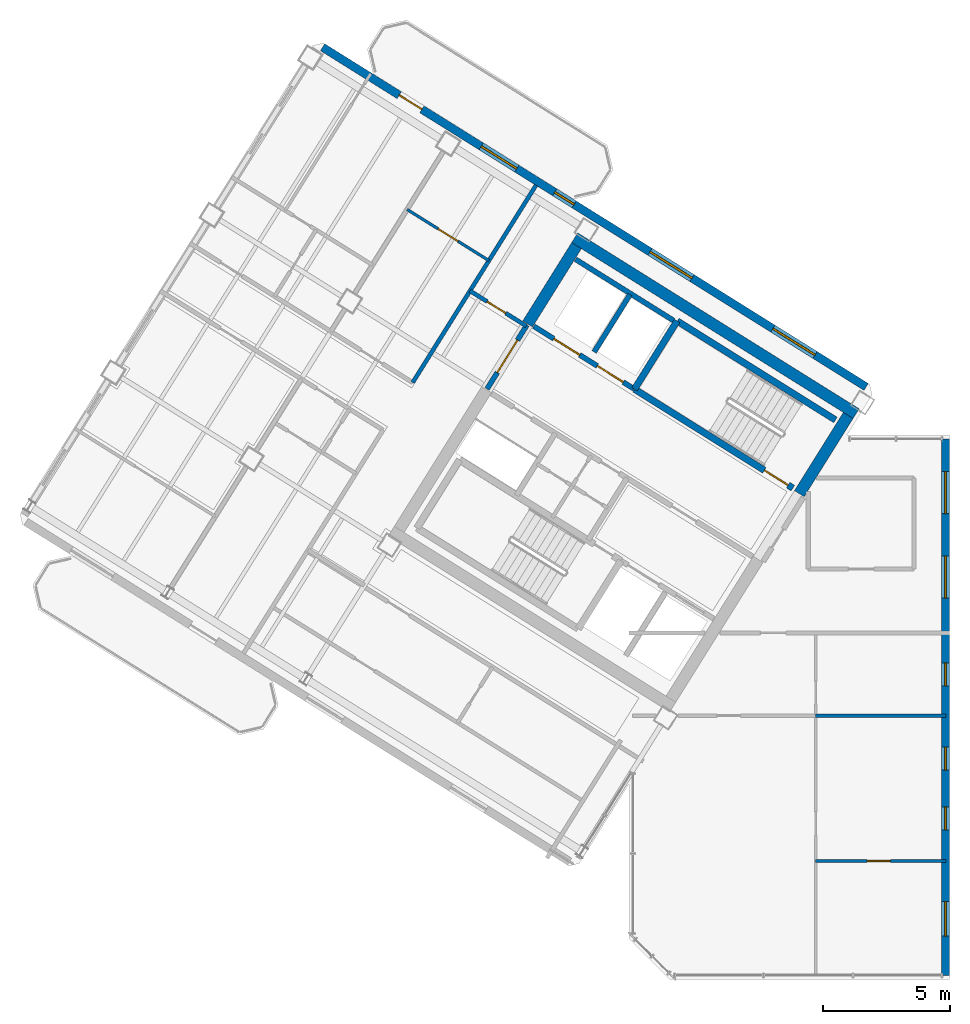
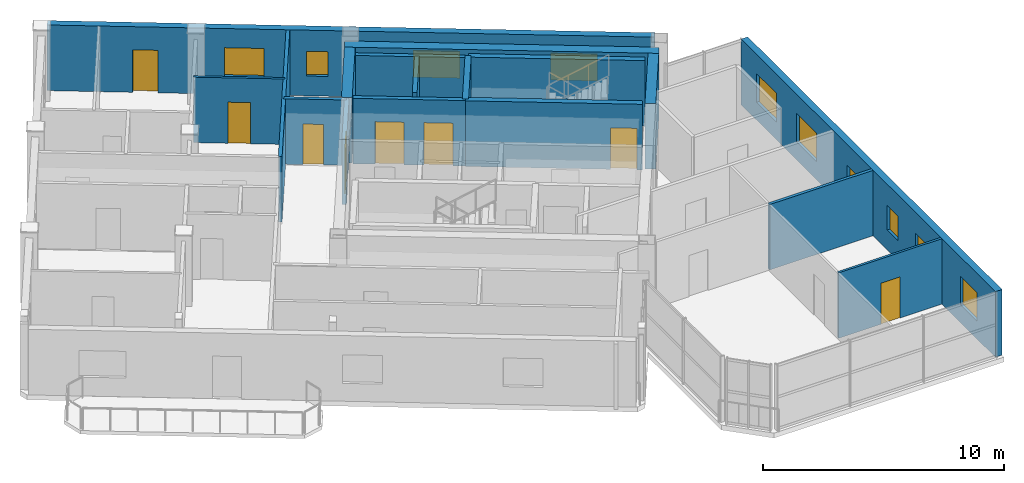
# One storey, part 9 of 13: 17 walls, 10 windows, 8 doors, 18 openings.
"""IFC4 building model written with IfcOpenShell, lengths in metres."""

from ifc_helpers import new_model, si_unit, direction, frame, frame_2d, origin, place, context, subcontext, project, spatial, rectangle, extrude, source, transform, mapped, material, layer, layer_set, type_object, element, fill, save


model = new_model("IFC4")

# Units and contexts
model_context = context("Model", 3, precision=1e-05, world=origin(), true_north=direction((0.0, 1.0)))
body_context = subcontext(model_context, "Body", "Model", "MODEL_VIEW")
ifc_project = project(units=[si_unit("LENGTHUNIT", "METRE"), si_unit("AREAUNIT", "SQUARE_METRE"), si_unit("VOLUMEUNIT", "CUBIC_METRE"), si_unit("PLANEANGLEUNIT", "RADIAN"), si_unit("MASSUNIT", "GRAM", prefix="KILO")], contexts=[model_context])

# Site, building, storey
site_placement = place(None, origin())
site = spatial("IfcSite", under=ifc_project, at=site_placement, CompositionType="ELEMENT")
building_placement = place(site_placement, origin())
building = spatial("IfcBuilding", under=site, at=building_placement, Name="Tlacorven Tower", CompositionType="ELEMENT")
storey_placement = place(building_placement, frame((0.0, 0.0, 295.199951171875)))
storey = spatial("IfcBuildingStorey", under=building, at=storey_placement, Name="L75", CompositionType="ELEMENT", Elevation=295.199951171875)

# Walls
ifc_material_1 = material(Name="Concrete C50/60", Category="concrete")
ifc_layer_1 = layer(ifc_material_1, 0.449951171875)
ifc_layer_set_1 = layer_set([ifc_layer_1], Name="Concrete C50/60")
wall_type_1 = type_object("IfcWallType", Name="WL-COR-450", PredefinedType="SHEAR", material=ifc_layer_set_1)
wall_1_placement = place(storey_placement, frame((40.53076171875, 24.036376953125, 0.0), z_axis=(0.0, 0.0, 1.0), x_axis=(-0.848048787466, 0.529918157905, 0.0)))
element("IfcWall", 1, at=wall_1_placement, inside=storey, type_object=wall_type_1, Name="L75 W core shear wall S1", PredefinedType="SHEAR", context=body_context, shape_type="SweptSolid", body=[
    extrude(rectangle(XDim=13.0400390625, YDim=0.449951171875, at=frame_2d((6.52001953125, 0.0))), origin(), (0.0, 0.0, 1.0), 3.320068359375),
])
for number, where, z_axis, x_axis, name in (
    (2, (40.220703125, 23.96484375, 0.0), (0.0, 0.0, 1.0), (-0.529902075036, -0.848058836916, 0.0), "L75 W core end wall E1.1"),
    (3, (29.543701171875, 30.636474609375, 0.0), (0.0, 0.0, 1.0), (-0.529902075036, -0.848058836916, 0.0), "L75 W core end wall E2.1"),
):
    element("IfcWall", number, at=place(storey_placement, frame(where, z_axis=z_axis, x_axis=x_axis)), inside=storey, type_object=wall_type_1, Name=name, PredefinedType="SHEAR", context=body_context, shape_type="SweptSolid", body=[
        extrude(rectangle(XDim=3.625, YDim=0.449951171875, at=frame_2d((1.8125, 0.0))), origin(), (0.0, 0.0, 1.0), 3.320068359375),
    ])

# Wall, opening, door
ifc_material_2 = material(Name="Gypsum plasterboard acoustic partition", Category="gypsum")
ifc_layer_2 = layer(ifc_material_2, 0.159912109375)
ifc_layer_set_2 = layer_set([ifc_layer_2], Name="Gypsum plasterboard acoustic partition")
wall_type_2 = type_object("IfcWallType", Name="WL-DEM-160", PredefinedType="PARTITIONING", material=ifc_layer_set_2)
wall_2_placement = place(storey_placement, frame((27.56982421875, 27.4775390625, 0.0), z_axis=(0.0, 0.0, 1.0), x_axis=(-0.848050851465, 0.529914854792, 0.0)))
wall_2 = element("IfcWall", 4, at=wall_2_placement, inside=storey, type_object=wall_type_2, Name="L75 partition 22", PredefinedType="PARTITIONING", context=body_context, shape_type="SweptSolid", body=[
    extrude(rectangle(XDim=2.60986328125, YDim=0.159912109375, at=frame_2d((1.304931640625, 0.0))), origin(), (0.0, 0.0, 1.0), 3.31005859375),
])
opening_1_placement = place(wall_2_placement, frame((0.949951171875, 0.0, 0.0)))
opening_1 = element("IfcOpeningElement", 5, at=opening_1_placement, cuts=wall_2, Name="Opening D19", PredefinedType="OPENING", context=body_context, shape_type="SweptSolid", body=[
    extrude(rectangle(XDim=0.860107421875, YDim=2.050048828125, at=frame_2d((0.43017578125, 1.02490234375))), frame((0.0, 0.08984375, 0.0), z_axis=(0.0, -1.0, 0.0), x_axis=(1.0, 0.0, 0.0)), (0.0, 0.0, 1.0), 0.179931640625),
])
ifc_material_3 = material(Name="Fire-rated steel door assembly", Category="steel")
door_type_1 = type_object("IfcDoorType", Name="DR-RSR-FD60-0860", OperationType="NOTDEFINED", PredefinedType="DOOR", material=ifc_material_3)
shared_shape_1 = source(origin(), body_context, "Body", "SweptSolid", [
    extrude(rectangle(XDim=0.860107421875, YDim=2.050048828125, at=frame_2d((0.43017578125, 1.02490234375))), frame((0.0, 0.02490234375, 0.0), z_axis=(0.0, -1.0, 0.0), x_axis=(1.0, 0.0, 0.0)), (0.0, 0.0, 1.0), 0.050048828125),
])
door_1_placement = place(opening_1_placement, frame((0.860107421875, 0.0, 0.0), z_axis=(0.0, 0.0, 1.0), x_axis=(-1.0, 0.0, 0.0)))
door_1 = element("IfcDoor", 6, at=door_1_placement, inside=storey, type_object=door_type_1, Name="L75 door 013", OperationType="SINGLE_SWING_LEFT", OverallHeight=2.050048828125, OverallWidth=0.860107421875, PredefinedType="DOOR", context=body_context, shape_type="MappedRepresentation", body=[
    mapped(shared_shape_1, transform((0.0, 0.0, 0.0), scale=1.0)),
])
fill(opening_1, door_1)

# Wall
wall_3_placement = place(storey_placement, frame((27.952880859375, 33.01611328125, 0.0), z_axis=(0.0, 0.0, 1.0), x_axis=(-0.529903001606, -0.848058257957, 0.0)))
element("IfcWall", 7, at=wall_3_placement, inside=storey, type_object=wall_type_2, Name="L75 partition 24", PredefinedType="PARTITIONING", context=body_context, shape_type="SweptSolid", body=[
    extrude(rectangle(XDim=9.150146484375, YDim=0.159912109375, at=frame_2d((4.5751953125, 0.0))), origin(), (0.0, 0.0, 1.0), 3.31005859375),
])

# Wall, openings, windows
ifc_material_4 = material(Name="Precast concrete C45/55", Category="concrete")
ifc_layer_3 = layer(ifc_material_4, 0.320068359375)
ifc_layer_set_3 = layer_set([ifc_layer_3], Name="Precast concrete C45/55")
wall_type_3 = type_object("IfcWallType", Name="WL-EXT-320", PredefinedType="STANDARD", material=ifc_layer_set_3)
wall_4_placement = place(storey_placement, frame((44.0400390625, 23.0400390625, 0.0), z_axis=(0.0, 0.0, 1.0), x_axis=(0.0, -1.0, 0.0)))
wall_4 = element("IfcWall", 8, at=wall_4_placement, inside=storey, type_object=wall_type_3, Name="L75 Masonry-Frame Recessed Facade Wall 1", PredefinedType="STANDARD", context=body_context, shape_type="SweptSolid", body=[
    extrude(rectangle(XDim=21.080078125, YDim=0.320068359375, at=frame_2d((10.5400390625, 0.0))), origin(), (0.0, 0.0, 1.0), 3.320068359375),
])
opening_2_placement = place(wall_4_placement, frame((1.284912109375, 0.0, 0.89990234375)))
opening_2 = element("IfcOpeningElement", 9, at=opening_2_placement, cuts=wall_4, Name="Opening WN07", PredefinedType="OPENING", context=body_context, shape_type="SweptSolid", body=[
    extrude(rectangle(XDim=1.64990234375, YDim=1.449951171875, at=frame_2d((0.824951171875, 0.72509765625))), frame((0.0, 0.169921875, 0.0), z_axis=(0.0, -1.0, 0.0), x_axis=(1.0, 0.0, 0.0)), (0.0, 0.0, 1.0), 0.340087890625),
])
opening_3_placement = place(wall_4_placement, frame((4.60498046875, 0.0, 0.89990234375)))
opening_3 = element("IfcOpeningElement", 10, at=opening_3_placement, cuts=wall_4, Name="Opening WN07", PredefinedType="OPENING", context=body_context, shape_type="SweptSolid", body=[
    extrude(rectangle(XDim=1.64990234375, YDim=1.449951171875, at=frame_2d((0.824951171875, 0.72509765625))), frame((0.0, 0.169921875, 0.0), z_axis=(0.0, -1.0, 0.0), x_axis=(1.0, 0.0, 0.0)), (0.0, 0.0, 1.0), 0.340087890625),
])
opening_4_placement = place(wall_4_placement, frame((8.800048828125, 0.0, 1.0)))
opening_4 = element("IfcOpeningElement", 11, at=opening_4_placement, cuts=wall_4, Name="Opening WN05", PredefinedType="OPENING", context=body_context, shape_type="SweptSolid", body=[
    extrude(rectangle(XDim=0.89990234375, YDim=1.25, at=frame_2d((0.449951171875, 0.625))), frame((0.0, 0.169921875, 0.0), z_axis=(0.0, -1.0, 0.0), x_axis=(1.0, 0.0, 0.0)), (0.0, 0.0, 1.0), 0.340087890625),
])
opening_5_placement = place(wall_4_placement, frame((12.11376953125, 0.0, 1.0)))
opening_5 = element("IfcOpeningElement", 12, at=opening_5_placement, cuts=wall_4, Name="Opening WN05", PredefinedType="OPENING", context=body_context, shape_type="SweptSolid", body=[
    extrude(rectangle(XDim=0.89990234375, YDim=1.25, at=frame_2d((0.449951171875, 0.625))), frame((0.0, 0.169921875, 0.0), z_axis=(0.0, -1.0, 0.0), x_axis=(1.0, 0.0, 0.0)), (0.0, 0.0, 1.0), 0.340087890625),
])
opening_6_placement = place(wall_4_placement, frame((14.461181640625, 0.0, 1.0)))
opening_6 = element("IfcOpeningElement", 13, at=opening_6_placement, cuts=wall_4, Name="Opening WN05", PredefinedType="OPENING", context=body_context, shape_type="SweptSolid", body=[
    extrude(rectangle(XDim=0.89990234375, YDim=1.25, at=frame_2d((0.449951171875, 0.625))), frame((0.0, 0.169921875, 0.0), z_axis=(0.0, -1.0, 0.0), x_axis=(1.0, 0.0, 0.0)), (0.0, 0.0, 1.0), 0.340087890625),
])
opening_7_placement = place(wall_4_placement, frame((18.1875, 0.0, 0.89990234375)))
opening_7 = element("IfcOpeningElement", 14, at=opening_7_placement, cuts=wall_4, Name="Opening WN08", PredefinedType="OPENING", context=body_context, shape_type="SweptSolid", body=[
    extrude(rectangle(XDim=1.35009765625, YDim=1.449951171875, at=frame_2d((0.675048828125, 0.72509765625))), frame((0.0, 0.169921875, 0.0), z_axis=(0.0, -1.0, 0.0), x_axis=(1.0, 0.0, 0.0)), (0.0, 0.0, 1.0), 0.340087890625),
])
ifc_material_5 = material(Name="Dark solar low-E double glazing in anodised aluminium frame", Category="aluminium")
window_type_1 = type_object("IfcWindowType", Name="WN-APT-0900X1350", PartitioningType="SINGLE_PANEL", PredefinedType="WINDOW", material=ifc_material_5)
shared_shape_2 = source(origin(), body_context, "Body", "SweptSolid", [
    extrude(rectangle(XDim=0.89990234375, YDim=1.25, at=frame_2d((0.449951171875, 0.625))), frame((0.0, 0.030029296875, 0.0), z_axis=(0.0, -1.0, 0.0), x_axis=(1.0, 0.0, 0.0)), (0.0, 0.0, 1.0), 0.06005859375),
])
window_1_placement = place(opening_4_placement, origin())
window_1 = element("IfcWindow", 15, at=window_1_placement, inside=storey, type_object=window_type_1, Name="L75 Recessed Masonry-Frame Window L75-01.3", OverallHeight=1.25, OverallWidth=0.89990234375, PartitioningType="SINGLE_PANEL", PredefinedType="WINDOW", context=body_context, shape_type="MappedRepresentation", body=[
    mapped(shared_shape_2, transform((0.0, 0.0, 0.0), scale=1.0)),
])
fill(opening_4, window_1)
window_2_placement = place(opening_5_placement, origin())
window_2 = element("IfcWindow", 16, at=window_2_placement, inside=storey, type_object=window_type_1, Name="L75 Recessed Masonry-Frame Window L75-01.4", OverallHeight=1.25, OverallWidth=0.89990234375, PartitioningType="SINGLE_PANEL", PredefinedType="WINDOW", context=body_context, shape_type="MappedRepresentation", body=[
    mapped(shared_shape_2, transform((0.0, 0.0, 0.0), scale=1.0)),
])
fill(opening_5, window_2)
window_3_placement = place(opening_6_placement, origin())
window_3 = element("IfcWindow", 17, at=window_3_placement, inside=storey, type_object=window_type_1, Name="L75 Recessed Masonry-Frame Window L75-01.5", OverallHeight=1.25, OverallWidth=0.89990234375, PartitioningType="SINGLE_PANEL", PredefinedType="WINDOW", context=body_context, shape_type="MappedRepresentation", body=[
    mapped(shared_shape_2, transform((0.0, 0.0, 0.0), scale=1.0)),
])
fill(opening_6, window_3)
window_type_2 = type_object("IfcWindowType", Name="WN-APT-1650X1600", PartitioningType="SINGLE_PANEL", PredefinedType="WINDOW", material=ifc_material_5)
shared_shape_3 = source(origin(), body_context, "Body", "SweptSolid", [
    extrude(rectangle(XDim=1.64990234375, YDim=1.449951171875, at=frame_2d((0.824951171875, 0.72509765625))), frame((0.0, 0.030029296875, 0.0), z_axis=(0.0, -1.0, 0.0), x_axis=(1.0, 0.0, 0.0)), (0.0, 0.0, 1.0), 0.06005859375),
])
window_4_placement = place(opening_2_placement, origin())
window_4 = element("IfcWindow", 18, at=window_4_placement, inside=storey, type_object=window_type_2, Name="L75 Recessed Masonry-Frame Window L75-01.1", OverallHeight=1.449951171875, OverallWidth=1.64990234375, PartitioningType="SINGLE_PANEL", PredefinedType="WINDOW", context=body_context, shape_type="MappedRepresentation", body=[
    mapped(shared_shape_3, transform((0.0, 0.0, 0.0), scale=1.0)),
])
fill(opening_2, window_4)
window_5_placement = place(opening_3_placement, origin())
window_5 = element("IfcWindow", 19, at=window_5_placement, inside=storey, type_object=window_type_2, Name="L75 Recessed Masonry-Frame Window L75-01.2", OverallHeight=1.449951171875, OverallWidth=1.64990234375, PartitioningType="SINGLE_PANEL", PredefinedType="WINDOW", context=body_context, shape_type="MappedRepresentation", body=[
    mapped(shared_shape_3, transform((0.0, 0.0, 0.0), scale=1.0)),
])
fill(opening_3, window_5)
window_type_3 = type_object("IfcWindowType", Name="WN-APT-1350X1550", PartitioningType="SINGLE_PANEL", PredefinedType="WINDOW", material=ifc_material_5)
shared_shape_4 = source(origin(), body_context, "Body", "SweptSolid", [
    extrude(rectangle(XDim=1.35009765625, YDim=1.449951171875, at=frame_2d((0.675048828125, 0.72509765625))), frame((0.0, 0.030029296875, 0.0), z_axis=(0.0, -1.0, 0.0), x_axis=(1.0, 0.0, 0.0)), (0.0, 0.0, 1.0), 0.06005859375),
])
window_6_placement = place(opening_7_placement, origin())
window_6 = element("IfcWindow", 20, at=window_6_placement, inside=storey, type_object=window_type_3, Name="L75 Recessed Masonry-Frame Window L75-01.6", OverallHeight=1.449951171875, OverallWidth=1.35009765625, PartitioningType="SINGLE_PANEL", PredefinedType="WINDOW", context=body_context, shape_type="MappedRepresentation", body=[
    mapped(shared_shape_4, transform((0.0, 0.0, 0.0), scale=1.0)),
])
fill(opening_7, window_6)

# Wall, openings, door, windows
wall_5_placement = place(storey_placement, frame((19.56591796875, 38.433837890625, 0.0), z_axis=(0.0, 0.0, 1.0), x_axis=(0.84804567626, -0.529923136858, 0.0)))
wall_5 = element("IfcWall", 21, at=wall_5_placement, inside=storey, type_object=wall_type_3, Name="L75 Masonry-Frame Recessed Facade Wall 4", PredefinedType="STANDARD", context=body_context, shape_type="SweptSolid", body=[
    extrude(rectangle(XDim=25.1875, YDim=0.320068359375, at=frame_2d((12.59375, 0.0))), origin(), (0.0, 0.0, 1.0), 3.320068359375),
])
opening_8_placement = place(wall_5_placement, frame((3.55029296875, 0.0, 0.0)))
opening_8 = element("IfcOpeningElement", 22, at=opening_8_placement, cuts=wall_5, Name="Opening D06", PredefinedType="OPENING", context=body_context, shape_type="SweptSolid", body=[
    extrude(rectangle(XDim=1.050048828125, YDim=2.14990234375, at=frame_2d((0.52490234375, 1.074951171875))), frame((0.0, 0.169921875, 0.0), z_axis=(0.0, -1.0, 0.0), x_axis=(1.0, 0.0, 0.0)), (0.0, 0.0, 1.0), 0.340087890625),
])
opening_9_placement = place(wall_5_placement, frame((7.3486328125, 0.0, 0.89990234375)))
opening_9 = element("IfcOpeningElement", 23, at=opening_9_placement, cuts=wall_5, Name="Opening WN07", PredefinedType="OPENING", context=body_context, shape_type="SweptSolid", body=[
    extrude(rectangle(XDim=1.64990234375, YDim=1.449951171875, at=frame_2d((0.824951171875, 0.72509765625))), frame((0.0, 0.169921875, 0.0), z_axis=(0.0, -1.0, 0.0), x_axis=(1.0, 0.0, 0.0)), (0.0, 0.0, 1.0), 0.340087890625),
])
opening_10_placement = place(wall_5_placement, frame((10.753662109375, 0.0, 1.0)))
opening_10 = element("IfcOpeningElement", 24, at=opening_10_placement, cuts=wall_5, Name="Opening WN05", PredefinedType="OPENING", context=body_context, shape_type="SweptSolid", body=[
    extrude(rectangle(XDim=0.89990234375, YDim=1.25, at=frame_2d((0.449951171875, 0.625))), frame((0.0, 0.169921875, 0.0), z_axis=(0.0, -1.0, 0.0), x_axis=(1.0, 0.0, 0.0)), (0.0, 0.0, 1.0), 0.340087890625),
])
opening_11_placement = place(wall_5_placement, frame((15.168701171875, 0.0, 0.949951171875)))
opening_11 = element("IfcOpeningElement", 25, at=opening_11_placement, cuts=wall_5, Name="Opening WN09", PredefinedType="OPENING", context=body_context, shape_type="SweptSolid", body=[
    extrude(rectangle(XDim=1.949951171875, YDim=1.35009765625, at=frame_2d((0.97509765625, 0.675048828125))), frame((0.0, 0.169921875, 0.0), z_axis=(0.0, -1.0, 0.0), x_axis=(1.0, 0.0, 0.0)), (0.0, 0.0, 1.0), 0.340087890625),
])
opening_12_placement = place(wall_5_placement, frame((20.86865234375, 0.0, 0.949951171875)))
opening_12 = element("IfcOpeningElement", 26, at=opening_12_placement, cuts=wall_5, Name="Opening WN09", PredefinedType="OPENING", context=body_context, shape_type="SweptSolid", body=[
    extrude(rectangle(XDim=1.949951171875, YDim=1.35009765625, at=frame_2d((0.97509765625, 0.675048828125))), frame((0.0, 0.169921875, 0.0), z_axis=(0.0, -1.0, 0.0), x_axis=(1.0, 0.0, 0.0)), (0.0, 0.0, 1.0), 0.340087890625),
])
ifc_material_6 = material(Name="Powder-coated aluminium and timber door", Category="wood")
door_type_2 = type_object("IfcDoorType", Name="DR-EXT-BALC-1050", OperationType="NOTDEFINED", PredefinedType="DOOR", material=ifc_material_6)
shared_shape_5 = source(origin(), body_context, "Body", "SweptSolid", [
    extrude(rectangle(XDim=1.050048828125, YDim=2.14990234375, at=frame_2d((0.52490234375, 1.074951171875))), frame((0.0, 0.02490234375, 0.0), z_axis=(0.0, -1.0, 0.0), x_axis=(1.0, 0.0, 0.0)), (0.0, 0.0, 1.0), 0.050048828125),
])
door_2_placement = place(opening_8_placement, origin())
door_2 = element("IfcDoor", 27, at=door_2_placement, inside=storey, type_object=door_type_2, Name="L75 Outdoor Access Door BAL-L75-W-IN", OperationType="SINGLE_SWING_RIGHT", OverallHeight=2.14990234375, OverallWidth=1.050048828125, PredefinedType="DOOR", context=body_context, shape_type="MappedRepresentation", body=[
    mapped(shared_shape_5, transform((0.0, 0.0, 0.0), scale=1.0)),
])
fill(opening_8, door_2)
window_7_placement = place(opening_10_placement, origin())
window_7 = element("IfcWindow", 28, at=window_7_placement, inside=storey, type_object=window_type_1, Name="L75 Recessed Masonry-Frame Window L75-04.2", OverallHeight=1.25, OverallWidth=0.89990234375, PartitioningType="SINGLE_PANEL", PredefinedType="WINDOW", context=body_context, shape_type="MappedRepresentation", body=[
    mapped(shared_shape_2, transform((0.0, 0.0, 0.0), scale=1.0)),
])
fill(opening_10, window_7)
window_8_placement = place(opening_9_placement, origin())
window_8 = element("IfcWindow", 29, at=window_8_placement, inside=storey, type_object=window_type_2, Name="L75 Recessed Masonry-Frame Window L75-04.1", OverallHeight=1.449951171875, OverallWidth=1.64990234375, PartitioningType="SINGLE_PANEL", PredefinedType="WINDOW", context=body_context, shape_type="MappedRepresentation", body=[
    mapped(shared_shape_3, transform((0.0, 0.0, 0.0), scale=1.0)),
])
fill(opening_9, window_8)
window_type_4 = type_object("IfcWindowType", Name="WN-GAL-1950X1450", PartitioningType="SINGLE_PANEL", PredefinedType="WINDOW", material=ifc_material_5)
shared_shape_6 = source(origin(), body_context, "Body", "SweptSolid", [
    extrude(rectangle(XDim=1.949951171875, YDim=1.35009765625, at=frame_2d((0.97509765625, 0.675048828125))), frame((0.0, 0.030029296875, 0.0), z_axis=(0.0, -1.0, 0.0), x_axis=(1.0, 0.0, 0.0)), (0.0, 0.0, 1.0), 0.06005859375),
])
window_9_placement = place(opening_11_placement, origin())
window_9 = element("IfcWindow", 30, at=window_9_placement, inside=storey, type_object=window_type_4, Name="L75 Recessed Masonry-Frame Window L75-04.3", OverallHeight=1.35009765625, OverallWidth=1.949951171875, PartitioningType="SINGLE_PANEL", PredefinedType="WINDOW", context=body_context, shape_type="MappedRepresentation", body=[
    mapped(shared_shape_6, transform((0.0, 0.0, 0.0), scale=1.0)),
])
fill(opening_11, window_9)
window_10_placement = place(opening_12_placement, origin())
window_10 = element("IfcWindow", 31, at=window_10_placement, inside=storey, type_object=window_type_4, Name="L75 Recessed Masonry-Frame Window L75-04.4", OverallHeight=1.35009765625, OverallWidth=1.949951171875, PartitioningType="SINGLE_PANEL", PredefinedType="WINDOW", context=body_context, shape_type="MappedRepresentation", body=[
    mapped(shared_shape_6, transform((0.0, 0.0, 0.0), scale=1.0)),
])
fill(opening_12, window_10)

# Wall, opening, door
ifc_material_7 = material(Name="Gypsum plasterboard partition", Category="gypsum")
ifc_layer_4 = layer(ifc_material_7, 0.110107421875)
ifc_layer_set_4 = layer_set([ifc_layer_4], Name="Gypsum plasterboard partition")
wall_type_4 = type_object("IfcWallType", Name="WL-INT-110", PredefinedType="PARTITIONING", material=ifc_layer_set_4)
wall_6_placement = place(storey_placement, frame((26.099365234375, 30.049560546875, 0.0), z_axis=(0.0, 0.0, 1.0), x_axis=(-0.84803087207, 0.529946827537, 0.0)))
wall_6 = element("IfcWall", 32, at=wall_6_placement, inside=storey, type_object=wall_type_4, Name="L75 partition 34", PredefinedType="PARTITIONING", context=body_context, shape_type="SweptSolid", body=[
    extrude(rectangle(XDim=3.7900390625, YDim=0.110107421875, at=frame_2d((1.89501953125, 0.0))), origin(), (0.0, 0.0, 1.0), 3.31005859375),
])
opening_13_placement = place(wall_6_placement, frame((1.43505859375, 0.0, 0.0)))
opening_13 = element("IfcOpeningElement", 33, at=opening_13_placement, cuts=wall_6, Name="Opening D12", PredefinedType="OPENING", context=body_context, shape_type="SweptSolid", body=[
    extrude(rectangle(XDim=0.919921875, YDim=2.080078125, at=frame_2d((0.4599609375, 1.0400390625))), frame((0.0, 0.06494140625, 0.0), z_axis=(0.0, -1.0, 0.0), x_axis=(1.0, 0.0, 0.0)), (0.0, 0.0, 1.0), 0.130126953125),
])
door_type_3 = type_object("IfcDoorType", Name="DR-INT-ROOM-0920", OperationType="NOTDEFINED", PredefinedType="DOOR", material=ifc_material_6)
shared_shape_7 = source(origin(), body_context, "Body", "SweptSolid", [
    extrude(rectangle(XDim=0.919921875, YDim=2.080078125, at=frame_2d((0.4599609375, 1.0400390625))), frame((0.0, 0.02490234375, 0.0), z_axis=(0.0, -1.0, 0.0), x_axis=(1.0, 0.0, 0.0)), (0.0, 0.0, 1.0), 0.050048828125),
])
door_3_placement = place(opening_13_placement, origin())
door_3 = element("IfcDoor", 34, at=door_3_placement, inside=storey, type_object=door_type_3, Name="L75 door 021", OperationType="SINGLE_SWING_RIGHT", OverallHeight=2.080078125, OverallWidth=0.919921875, PredefinedType="DOOR", context=body_context, shape_type="MappedRepresentation", body=[
    mapped(shared_shape_7, transform((0.0, 0.0, 0.0), scale=1.0)),
])
fill(opening_13, door_3)

wall_7_placement = place(storey_placement, frame((38.944091796875, 6.449951171875, 0.0), z_axis=(0.0, 0.0, 1.0), x_axis=(1.0, 0.0, 0.0)))
wall_7 = element("IfcWall", 35, at=wall_7_placement, inside=storey, type_object=wall_type_4, Name="L75 partition 51", PredefinedType="PARTITIONING", context=body_context, shape_type="SweptSolid", body=[
    extrude(rectangle(XDim=5.115966796875, YDim=0.110107421875, at=frame_2d((2.55810546875, 0.0))), origin(), (0.0, 0.0, 1.0), 3.31005859375),
])
opening_14_placement = place(wall_7_placement, frame((2.01806640625, 0.0, 0.0)))
opening_14 = element("IfcOpeningElement", 36, at=opening_14_placement, cuts=wall_7, Name="Opening D12", PredefinedType="OPENING", context=body_context, shape_type="SweptSolid", body=[
    extrude(rectangle(XDim=0.919921875, YDim=2.080078125, at=frame_2d((0.4599609375, 1.0400390625))), frame((0.0, 0.06494140625, 0.0), z_axis=(0.0, -1.0, 0.0), x_axis=(1.0, 0.0, 0.0)), (0.0, 0.0, 1.0), 0.130126953125),
])
door_4_placement = place(opening_14_placement, origin())
door_4 = element("IfcDoor", 37, at=door_4_placement, inside=storey, type_object=door_type_3, Name="L75 door 032", OperationType="SINGLE_SWING_RIGHT", OverallHeight=2.080078125, OverallWidth=0.919921875, PredefinedType="DOOR", context=body_context, shape_type="MappedRepresentation", body=[
    mapped(shared_shape_7, transform((0.0, 0.0, 0.0), scale=1.0)),
])
fill(opening_14, door_4)

# Wall
ifc_material_8 = material(Name="Moisture-resistant gypsum plumbing wall", Category="gypsum")
ifc_layer_5 = layer(ifc_material_8, 0.139892578125)
ifc_layer_set_5 = layer_set([ifc_layer_5], Name="Moisture-resistant gypsum plumbing wall")
wall_type_5 = type_object("IfcWallType", Name="WL-PLM-140", PredefinedType="PLUMBINGWALL", material=ifc_layer_set_5)
wall_8_placement = place(storey_placement, frame((38.944091796875, 12.169921875, 0.0), z_axis=(0.0, 0.0, 1.0), x_axis=(1.0, 0.0, 0.0)))
element("IfcWall", 38, at=wall_8_placement, inside=storey, type_object=wall_type_5, Name="L75 partition 50", PredefinedType="PLUMBINGWALL", context=body_context, shape_type="SweptSolid", body=[
    extrude(rectangle(XDim=5.115966796875, YDim=0.139892578125, at=frame_2d((2.55810546875, 0.0))), origin(), (0.0, 0.0, 1.0), 3.31005859375),
])

# Wall, openings, doors
ifc_material_9 = material(Name="Concrete C40/50", Category="concrete")
ifc_layer_6 = layer(ifc_material_9, 0.199951171875)
ifc_layer_set_6 = layer_set([ifc_layer_6], Name="Concrete C40/50")
wall_type_6 = type_object("IfcWallType", Name="WL-SHF-200", PredefinedType="STANDARD", material=ifc_layer_set_6)
wall_9_placement = place(storey_placement, frame((31.82177734375, 24.99755859375, 0.0), z_axis=(0.0, 0.0, 1.0), x_axis=(-0.848054125777, 0.529909614701, 0.0)))
wall_9 = element("IfcWall", 39, at=wall_9_placement, inside=storey, type_object=wall_type_6, Name="L75 Core W South Lift Shaft Wall", PredefinedType="STANDARD", context=body_context, shape_type="SweptSolid", body=[
    extrude(rectangle(XDim=4.66796875, YDim=0.199951171875, at=frame_2d((2.333984375, 0.0))), origin(), (0.0, 0.0, 1.0), 3.31005859375),
])
opening_15_placement = place(wall_9_placement, frame((0.52001953125, 0.0, 0.0)))
opening_15 = element("IfcOpeningElement", 40, at=opening_15_placement, cuts=wall_9, Name="Opening LD02", PredefinedType="OPENING", context=body_context, shape_type="SweptSolid", body=[
    extrude(rectangle(XDim=1.199951171875, YDim=2.14990234375, at=frame_2d((0.60009765625, 1.074951171875))), frame((0.0, 0.10986328125, 0.0), z_axis=(0.0, -1.0, 0.0), x_axis=(1.0, 0.0, 0.0)), (0.0, 0.0, 1.0), 0.219970703125),
])
opening_16_placement = place(wall_9_placement, frame((2.5400390625, 0.0, 0.0)))
opening_16 = element("IfcOpeningElement", 41, at=opening_16_placement, cuts=wall_9, Name="Opening LD02", PredefinedType="OPENING", context=body_context, shape_type="SweptSolid", body=[
    extrude(rectangle(XDim=1.199951171875, YDim=2.14990234375, at=frame_2d((0.60009765625, 1.074951171875))), frame((0.0, 0.10986328125, 0.0), z_axis=(0.0, -1.0, 0.0), x_axis=(1.0, 0.0, 0.0)), (0.0, 0.0, 1.0), 0.219970703125),
])
door_type_4 = type_object("IfcDoorType", Name="DR-LFT-SLID-1200", OperationType="DOUBLE_DOOR_SLIDING", PredefinedType="DOOR", material=ifc_material_3)
shared_shape_8 = source(origin(), body_context, "Body", "SweptSolid", [
    extrude(rectangle(XDim=1.199951171875, YDim=2.14990234375, at=frame_2d((0.60009765625, 1.074951171875))), frame((0.0, 0.02490234375, 0.0), z_axis=(0.0, -1.0, 0.0), x_axis=(1.0, 0.0, 0.0)), (0.0, 0.0, 1.0), 0.050048828125),
])
door_5_placement = place(opening_15_placement, origin())
door_5 = element("IfcDoor", 42, at=door_5_placement, inside=storey, type_object=door_type_4, Name="L75 Lift PL-H1 Sliding Landing Door", OperationType="DOUBLE_DOOR_SLIDING", OverallHeight=2.14990234375, OverallWidth=1.199951171875, PredefinedType="DOOR", context=body_context, shape_type="MappedRepresentation", body=[
    mapped(shared_shape_8, transform((0.0, 0.0, 0.0), scale=1.0)),
])
fill(opening_15, door_5)
door_6_placement = place(opening_16_placement, origin())
door_6 = element("IfcDoor", 43, at=door_6_placement, inside=storey, type_object=door_type_4, Name="L75 Lift PL-H2 Sliding Landing Door", OperationType="DOUBLE_DOOR_SLIDING", OverallHeight=2.14990234375, OverallWidth=1.199951171875, PredefinedType="DOOR", context=body_context, shape_type="MappedRepresentation", body=[
    mapped(shared_shape_8, transform((0.0, 0.0, 0.0), scale=1.0)),
])
fill(opening_16, door_6)

# Walls
wall_10_placement = place(storey_placement, frame((31.645263671875, 28.716064453125, 0.0), z_axis=(0.0, 0.0, 1.0), x_axis=(-0.52986693015, -0.848080795876, 0.0)))
element("IfcWall", 44, at=wall_10_placement, inside=storey, type_object=wall_type_6, Name="L75 partition 12", PredefinedType="STANDARD", context=body_context, shape_type="SweptSolid", body=[
    extrude(rectangle(XDim=2.659912109375, YDim=0.199951171875, at=frame_2d((1.330078125, 0.0))), origin(), (0.0, 0.0, 1.0), 3.31005859375),
])
wall_11_placement = place(storey_placement, frame((33.362548828125, 27.690185546875, 0.0), z_axis=(0.0, 0.0, 1.0), x_axis=(-0.84804957148, 0.529916903215, 0.0)))
element("IfcWall", 45, at=wall_11_placement, inside=storey, type_object=wall_type_6, Name="L75 partition 14", PredefinedType="STANDARD", context=body_context, shape_type="SweptSolid", body=[
    extrude(rectangle(XDim=4.547607421875, YDim=0.199951171875, at=frame_2d((2.27392578125, 0.0))), origin(), (0.0, 0.0, 1.0), 3.31005859375),
])

# Wall, opening, door
wall_12_placement = place(storey_placement, frame((27.59619140625, 27.52001953125, 0.0), z_axis=(0.0, 0.0, 1.0), x_axis=(-0.529865479138, -0.848081702443, 0.0)))
wall_12 = element("IfcWall", 46, at=wall_12_placement, inside=storey, type_object=wall_type_6, Name="L75 partition 21", PredefinedType="STANDARD", context=body_context, shape_type="SweptSolid", body=[
    extrude(rectangle(XDim=2.9599609375, YDim=0.199951171875, at=frame_2d((1.47998046875, 0.0))), origin(), (0.0, 0.0, 1.0), 3.31005859375),
])
opening_17_placement = place(wall_12_placement, frame((0.699951171875, 0.0, 0.0)))
opening_17 = element("IfcOpeningElement", 47, at=opening_17_placement, cuts=wall_12, Name="Opening D10", PredefinedType="OPENING", context=body_context, shape_type="SweptSolid", body=[
    extrude(rectangle(XDim=1.5, YDim=2.14990234375, at=frame_2d((0.75, 1.074951171875))), frame((0.0, 0.10986328125, 0.0), z_axis=(0.0, -1.0, 0.0), x_axis=(1.0, 0.0, 0.0)), (0.0, 0.0, 1.0), 0.219970703125),
])
door_type_5 = type_object("IfcDoorType", Name="DR-LOB-FD60-1500", OperationType="DOUBLE_DOOR_SINGLE_SWING", PredefinedType="DOOR", material=ifc_material_3)
shared_shape_9 = source(origin(), body_context, "Body", "SweptSolid", [
    extrude(rectangle(XDim=1.5, YDim=2.14990234375, at=frame_2d((0.75, 1.074951171875))), frame((0.0, 0.02490234375, 0.0), z_axis=(0.0, -1.0, 0.0), x_axis=(1.0, 0.0, 0.0)), (0.0, 0.0, 1.0), 0.050048828125),
])
door_7_placement = place(opening_17_placement, origin())
door_7 = element("IfcDoor", 48, at=door_7_placement, inside=storey, type_object=door_type_5, Name="L75 door 014", OperationType="DOUBLE_DOOR_SINGLE_SWING", OverallHeight=2.14990234375, OverallWidth=1.5, PredefinedType="DOOR", context=body_context, shape_type="MappedRepresentation", body=[
    mapped(shared_shape_9, transform((0.0, 0.0, 0.0), scale=1.0)),
])
fill(opening_17, door_7)

# Wall
ifc_layer_7 = layer(ifc_material_1, 0.260009765625)
ifc_layer_set_7 = layer_set([ifc_layer_7], Name="Concrete C50/60")
wall_type_7 = type_object("IfcWallType", Name="WL-STW-260", PredefinedType="SHEAR", material=ifc_layer_set_7)
wall_13_placement = place(storey_placement, frame((39.720947265625, 23.787841796875, 0.0), z_axis=(0.0, 0.0, 1.0), x_axis=(-0.848054434086, 0.529909121291, 0.0)))
element("IfcWall", 49, at=wall_13_placement, inside=storey, type_object=wall_type_7, Name="L75 Stair W2 Far Shear Wall", PredefinedType="SHEAR", context=body_context, shape_type="SweptSolid", body=[
    extrude(rectangle(XDim=7.330078125, YDim=0.260009765625, at=frame_2d((3.6650390625, 0.0))), origin(), (0.0, 0.0, 1.0), 3.320068359375),
])

# Wall, opening, door
wall_14_placement = place(storey_placement, frame((38.04638671875, 21.10791015625, 0.0), z_axis=(0.0, 0.0, 1.0), x_axis=(-0.848054434086, 0.529909121291, 0.0)))
wall_14 = element("IfcWall", 50, at=wall_14_placement, inside=storey, type_object=wall_type_7, Name="L75 Stair W2 Lobby Shear Wall", PredefinedType="SHEAR", context=body_context, shape_type="SweptSolid", body=[
    extrude(rectangle(XDim=7.330078125, YDim=0.260009765625, at=frame_2d((3.6650390625, 0.0))), origin(), (0.0, 0.0, 1.0), 3.320068359375),
])
opening_18_placement = place(wall_14_placement, frame((0.219970703125, 0.0, 0.0)))
opening_18 = element("IfcOpeningElement", 51, at=opening_18_placement, cuts=wall_14, Name="Opening D07", PredefinedType="OPENING", context=body_context, shape_type="SweptSolid", body=[
    extrude(rectangle(XDim=1.10009765625, YDim=2.10009765625, at=frame_2d((0.550048828125, 1.050048828125))), frame((0.0, 0.14013671875, 0.0), z_axis=(0.0, -1.0, 0.0), x_axis=(1.0, 0.0, 0.0)), (0.0, 0.0, 1.0), 0.280029296875),
])
door_type_6 = type_object("IfcDoorType", Name="DR-STR-FD90-1100", OperationType="NOTDEFINED", PredefinedType="DOOR", material=ifc_material_3)
shared_shape_10 = source(origin(), body_context, "Body", "SweptSolid", [
    extrude(rectangle(XDim=1.10009765625, YDim=2.10009765625, at=frame_2d((0.550048828125, 1.050048828125))), frame((0.0, 0.02490234375, 0.0), z_axis=(0.0, -1.0, 0.0), x_axis=(1.0, 0.0, 0.0)), (0.0, 0.0, 1.0), 0.050048828125),
])
door_8_placement = place(opening_18_placement, origin())
door_8 = element("IfcDoor", 52, at=door_8_placement, inside=storey, type_object=door_type_6, Name="L75 Exit Stair W2 Fire Door", OperationType="SINGLE_SWING_RIGHT", OverallHeight=2.10009765625, OverallWidth=1.10009765625, PredefinedType="DOOR", context=body_context, shape_type="MappedRepresentation", body=[
    mapped(shared_shape_10, transform((0.0, 0.0, 0.0), scale=1.0)),
])
fill(opening_18, door_8)

# Wall
wall_15_placement = place(storey_placement, frame((33.496337890625, 27.677490234375, 0.0), z_axis=(0.0, 0.0, 1.0), x_axis=(-0.529908658664, -0.84805472316, 0.0)))
element("IfcWall", 53, at=wall_15_placement, inside=storey, type_object=wall_type_7, Name="L75 Stair W2 East Shear Wall", PredefinedType="SHEAR", context=body_context, shape_type="SweptSolid", body=[
    extrude(rectangle(XDim=3.16015625, YDim=0.260009765625, at=frame_2d((1.580078125, 0.0))), origin(), (0.0, 0.0, 1.0), 3.320068359375),
])

save(model, "model.ifc")
